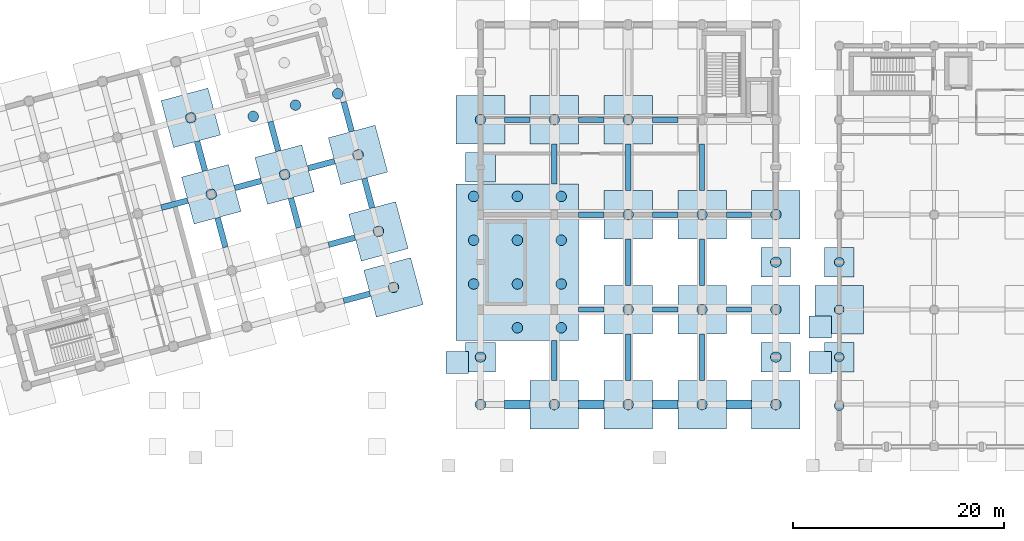
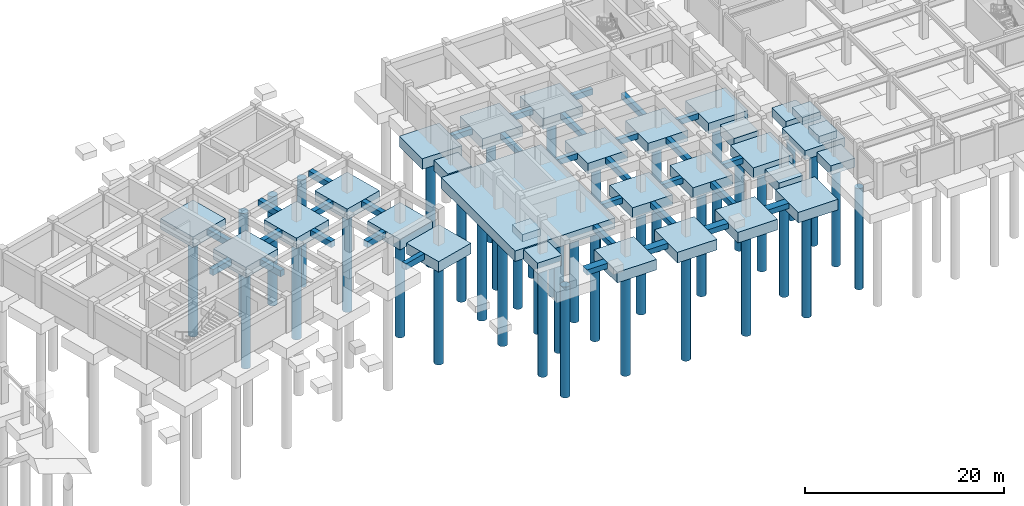
# One storey, part 4 of 20: 62 footings, 41 piles.
"""IFC4 building model written with IfcOpenShell, lengths in metres."""

from ifc_helpers import new_model, si_unit, direction, frame, origin, origin_2d, place, context, subcontext, project, spatial, rectangle, circle, extrude, material, material_profile, profile_set, type_object, element, save


model = new_model("IFC4")

# Units and contexts
model_context = context("Model", 3, precision=1e-05, world=origin(), true_north=direction((0.0, 1.0)))
body_context = subcontext(model_context, "Body", "Model", "MODEL_VIEW")
ifc_project = project(units=[si_unit("LENGTHUNIT", "METRE"), si_unit("AREAUNIT", "SQUARE_METRE"), si_unit("VOLUMEUNIT", "CUBIC_METRE"), si_unit("PLANEANGLEUNIT", "RADIAN"), si_unit("MASSUNIT", "GRAM", prefix="KILO")], contexts=[model_context])

# Site, building, storey
site_placement = place(None, origin())
site = spatial("IfcSite", under=ifc_project, at=site_placement, CompositionType="ELEMENT")
building_placement = place(site_placement, origin())
building = spatial("IfcBuilding", under=site, at=building_placement, Name="Ventoquebrada Cableway Terminal", CompositionType="ELEMENT")
storey_placement = place(building_placement, frame((0.0, 0.0, -4.5)))
storey = spatial("IfcBuildingStorey", under=building, at=storey_placement, Name="B1", CompositionType="ELEMENT", Elevation=-4.5)

# Footings
ifc_material = material(Name="Concrete C40/50", Category="concrete")
footing_type_1 = type_object("IfcFootingType", Name="FT-PC01", PredefinedType="PILE_CAP", material=ifc_material)
footing_1_placement = place(storey_placement, frame((129.0, 77.0, -1.10009765625), z_axis=(0.0, 0.0, 1.0), x_axis=(1.0, 0.0, 0.0)))
element("IfcFooting", 1, at=footing_1_placement, inside=storey, type_object=footing_type_1, Name="Reinforced concrete pile cap PC-148", PredefinedType="PILE_CAP", context=body_context, shape_type="SweptSolid", body=[
    extrude(rectangle(XDim=4.60009765625, YDim=4.60009765625, at=origin_2d()), origin(), (0.0, 0.0, 1.0), 1.10009765625),
])
footing_type_2 = type_object("IfcFootingType", Name="FT-PC02", PredefinedType="PILE_CAP", material=ifc_material)
for number, where, z_axis, x_axis, name in (
    (2, (129.0, 72.5, -1.10009765625), (0.0, 0.0, 1.0), (1.0, 0.0, 0.0), "Reinforced concrete pile cap PC-147"),
    (3, (129.0, 81.5, -1.10009765625), (0.0, 0.0, 1.0), (1.0, 0.0, 0.0), "Reinforced concrete pile cap PC-150"),
):
    element("IfcFooting", number, at=place(storey_placement, frame(where, z_axis=z_axis, x_axis=x_axis)), inside=storey, type_object=footing_type_2, Name=name, PredefinedType="PILE_CAP", context=body_context, shape_type="SweptSolid", body=[
        extrude(rectangle(XDim=2.800048828125, YDim=2.800048828125, at=origin_2d()), origin(), (0.0, 0.0, 1.0), 1.10009765625),
    ])
footing_type_3 = type_object("IfcFootingType", Name="FT-PC05", PredefinedType="PILE_CAP", material=ifc_material)
for number, where, z_axis, x_axis, name in (
    (4, (95.0, 72.5, -1.2998046875), (0.0, 0.0, 1.0), (1.0, 0.0, 0.0), "Reinforced concrete pile cap PC-118"),
    (5, (123.0, 72.5, -1.2998046875), (0.0, 0.0, 1.0), (1.0, 0.0, 0.0), "Reinforced concrete pile cap PC-129"),
    (6, (123.0, 81.5, -1.2998046875), (0.0, 0.0, 1.0), (1.0, 0.0, 0.0), "Reinforced concrete pile cap PC-132"),
):
    element("IfcFooting", number, at=place(storey_placement, frame(where, z_axis=z_axis, x_axis=x_axis)), inside=storey, type_object=footing_type_3, Name=name, PredefinedType="PILE_CAP", context=body_context, shape_type="SweptSolid", body=[
        extrude(rectangle(XDim=2.800048828125, YDim=2.800048828125, at=origin_2d()), origin(), (0.0, 0.0, 1.0), 1.300048828125),
    ])
footing_type_4 = type_object("IfcFootingType", Name="FT-PC06", PredefinedType="PILE_CAP", material=ifc_material)
for number, where, z_axis, x_axis, name in (
    (7, (69.47705078125, 87.931884765625, -1.2998046875), (0.0, 0.0, 1.0), (0.965925826289, 0.258819045103, 0.0), "Reinforced concrete pile cap PC-098"),
    (8, (86.7509765625, 79.10205078125, -1.2998046875), (0.0, 0.0, 1.0), (0.965925826289, 0.258819045103, 0.0), "Reinforced concrete pile cap PC-107"),
    (9, (85.327880859375, 84.4140625, -1.2998046875), (0.0, 0.0, 1.0), (0.965925826289, 0.258819045103, 0.0), "Reinforced concrete pile cap PC-108"),
    (10, (76.431884765625, 89.794921875, -1.2998046875), (0.0, 0.0, 1.0), (0.965925826289, 0.258819045103, 0.0), "Reinforced concrete pile cap PC-110"),
    (11, (83.386962890625, 91.658935546875, -1.2998046875), (0.0, 0.0, 1.0), (0.965925826289, 0.258819045103, 0.0), "Reinforced concrete pile cap PC-111"),
    (12, (67.535888671875, 95.176025390625, -1.2998046875), (0.0, 0.0, 1.0), (0.965925826289, 0.258819045103, 0.0), "Reinforced concrete pile cap PC-113"),
    (13, (109.0, 68.0, -1.2998046875), (0.0, 0.0, 1.0), (1.0, 0.0, 0.0), "Reinforced concrete pile cap PC-115"),
    (14, (102.0, 68.0, -1.2998046875), (0.0, 0.0, 1.0), (1.0, 0.0, 0.0), "Reinforced concrete pile cap PC-116"),
    (15, (109.0, 77.0, -1.2998046875), (0.0, 0.0, 1.0), (1.0, 0.0, 0.0), "Reinforced concrete pile cap PC-120"),
    (16, (95.0, 95.0, -1.2998046875), (0.0, 0.0, 1.0), (1.0, 0.0, 0.0), "Reinforced concrete pile cap PC-122"),
    (17, (102.0, 95.0, -1.2998046875), (0.0, 0.0, 1.0), (1.0, 0.0, 0.0), "Reinforced concrete pile cap PC-123"),
    (18, (116.0, 68.0, -1.2998046875), (0.0, 0.0, 1.0), (1.0, 0.0, 0.0), "Reinforced concrete pile cap PC-127"),
    (19, (123.0, 68.0, -1.2998046875), (0.0, 0.0, 1.0), (1.0, 0.0, 0.0), "Reinforced concrete pile cap PC-128"),
    (20, (116.0, 77.0, -1.2998046875), (0.0, 0.0, 1.0), (1.0, 0.0, 0.0), "Reinforced concrete pile cap PC-130"),
    (21, (123.0, 77.0, -1.2998046875), (0.0, 0.0, 1.0), (1.0, 0.0, 0.0), "Reinforced concrete pile cap PC-131"),
    (22, (109.0, 86.0, -1.2998046875), (0.0, 0.0, 1.0), (1.0, 0.0, 0.0), "Reinforced concrete pile cap PC-133"),
    (23, (116.0, 86.0, -1.2998046875), (0.0, 0.0, 1.0), (1.0, 0.0, 0.0), "Reinforced concrete pile cap PC-134"),
    (24, (123.0, 86.0, -1.2998046875), (0.0, 0.0, 1.0), (1.0, 0.0, 0.0), "Reinforced concrete pile cap PC-135"),
    (25, (109.0, 95.0, -1.2998046875), (0.0, 0.0, 1.0), (1.0, 0.0, 0.0), "Reinforced concrete pile cap PC-137"),
):
    element("IfcFooting", number, at=place(storey_placement, frame(where, z_axis=z_axis, x_axis=x_axis)), inside=storey, type_object=footing_type_4, Name=name, PredefinedType="PILE_CAP", context=body_context, shape_type="SweptSolid", body=[
        extrude(rectangle(XDim=4.60009765625, YDim=4.60009765625, at=origin_2d()), origin(), (0.0, 0.0, 1.0), 1.300048828125),
    ])
footing_type_5 = type_object("IfcFootingType", Name="FT-PC09", PredefinedType="PILE_CAP", material=ifc_material)
footing_2_placement = place(storey_placement, frame((98.5, 81.5, -1.2998046875), z_axis=(0.0, 0.0, 1.0), x_axis=(1.0, 0.0, 0.0)))
element("IfcFooting", 26, at=footing_2_placement, inside=storey, type_object=footing_type_5, Name="Reinforced concrete pile cap PC-119", PredefinedType="PILE_CAP", context=body_context, shape_type="SweptSolid", body=[
    extrude(rectangle(XDim=11.60009765625, YDim=14.85009765625, at=origin_2d()), origin(), (0.0, 0.0, 1.0), 1.300048828125),
])
footing_type_6 = type_object("IfcFootingType", Name="FT-PD01", PredefinedType="PAD_FOOTING", material=ifc_material)
for number, where, z_axis, x_axis, name in (
    (27, (92.800048828125, 72.0, 3.320068359375), (0.0, 0.0, 1.0), (1.0, 0.0, 0.0), "Accessible ramp toe pad footing R5"),
    (28, (127.199951171875, 72.0, 3.320068359375), (0.0, 0.0, 1.0), (1.0, 0.0, 0.0), "Accessible ramp toe pad footing R6"),
    (29, (127.199951171875, 75.360107421875, 3.60009765625), (0.0, 0.0, 1.0), (1.0, 0.0, 0.0), "Accessible ramp toe pad footing R6B"),
):
    element("IfcFooting", number, at=place(storey_placement, frame(where, z_axis=z_axis, x_axis=x_axis)), inside=storey, type_object=footing_type_6, Name=name, PredefinedType="PAD_FOOTING", context=body_context, shape_type="SweptSolid", body=[
        extrude(rectangle(XDim=2.10009765625, YDim=2.10009765625, at=origin_2d()), origin(), (0.0, 0.0, 1.0), 0.89990234375),
    ])
footing_type_7 = type_object("IfcFootingType", Name="FT-PD02", PredefinedType="PAD_FOOTING", material=ifc_material)
footing_3_placement = place(storey_placement, frame((95.0, 90.5, -1.2998046875), z_axis=(0.0, 0.0, 1.0), x_axis=(1.0, 0.0, 0.0)))
element("IfcFooting", 30, at=footing_3_placement, inside=storey, type_object=footing_type_7, Name="Reinforced concrete pad footing PF-121", PredefinedType="PAD_FOOTING", context=body_context, shape_type="SweptSolid", body=[
    extrude(rectangle(XDim=2.800048828125, YDim=2.800048828125, at=origin_2d()), origin(), (0.0, 0.0, 1.0), 1.300048828125),
])
footing_type_8 = type_object("IfcFootingType", Name="FT-SF09", PredefinedType="STRIP_FOOTING", material=ifc_material)
for number, where, z_axis, x_axis, name in (
    (31, (98.5, 68.0, -0.64990234375), (0.0, 0.0, 1.0), (1.0, 0.0, 0.0), "Reinforced concrete strip footing SF-074"),
    (32, (105.5, 68.0, -0.64990234375), (0.0, 0.0, 1.0), (1.0, 0.0, 0.0), "Reinforced concrete strip footing SF-075"),
    (33, (112.5, 68.0, -0.64990234375), (0.0, 0.0, 1.0), (1.0, 0.0, 0.0), "Reinforced concrete strip footing SF-076"),
    (34, (119.5, 68.0, -0.64990234375), (0.0, 0.0, 1.0), (1.0, 0.0, 0.0), "Reinforced concrete strip footing SF-077"),
):
    element("IfcFooting", number, at=place(storey_placement, frame(where, z_axis=z_axis, x_axis=x_axis)), inside=storey, type_object=footing_type_8, Name=name, PredefinedType="STRIP_FOOTING", context=body_context, shape_type="SweptSolid", body=[
        extrude(rectangle(XDim=2.404052734375, YDim=0.85009765625, at=origin_2d()), origin(), (0.0, 0.0, 1.0), 0.64990234375),
    ])
footing_type_9 = type_object("IfcFootingType", Name="FT-TB03", PredefinedType="FOOTING_BEAM", material=ifc_material)
for number, where, z_axis, x_axis, name in (
    (35, (109.0, 72.5, -0.7001953125), (0.0, 0.0, 1.0), (0.0, 1.0, 0.0), "Reinforced concrete seismic tie beam TB-066"),
    (36, (109.0, 81.5, -0.7001953125), (0.0, 0.0, 1.0), (0.0, 1.0, 0.0), "Reinforced concrete seismic tie beam TB-067"),
    (37, (109.0, 90.5, -0.7001953125), (0.0, 0.0, 1.0), (0.0, 1.0, 0.0), "Reinforced concrete seismic tie beam TB-068"),
    (38, (116.0, 72.5, -0.7001953125), (0.0, 0.0, 1.0), (0.0, 1.0, 0.0), "Reinforced concrete seismic tie beam TB-070"),
    (39, (116.0, 81.5, -0.7001953125), (0.0, 0.0, 1.0), (0.0, 1.0, 0.0), "Reinforced concrete seismic tie beam TB-071"),
    (40, (116.0, 90.5, -0.7001953125), (0.0, 0.0, 1.0), (0.0, 1.0, 0.0), "Reinforced concrete seismic tie beam TB-072"),
):
    element("IfcFooting", number, at=place(storey_placement, frame(where, z_axis=z_axis, x_axis=x_axis)), inside=storey, type_object=footing_type_9, Name=name, PredefinedType="FOOTING_BEAM", context=body_context, shape_type="SweptSolid", body=[
        extrude(rectangle(XDim=4.404052734375, YDim=0.5, at=origin_2d()), origin(), (0.0, 0.0, 1.0), 0.699951171875),
    ])
footing_type_10 = type_object("IfcFootingType", Name="FT-TB08", PredefinedType="FOOTING_BEAM", material=ifc_material)
for number, where, z_axis, x_axis, name in (
    (41, (102.0, 72.18798828125, -0.7001953125), (0.0, 0.0, 1.0), (0.0, 1.0, 0.0), "Reinforced concrete seismic tie beam TB-063"),
    (42, (102.0, 90.81201171875, -0.7001953125), (0.0, 0.0, 1.0), (0.0, 1.0, 0.0), "Reinforced concrete seismic tie beam TB-064"),
):
    element("IfcFooting", number, at=place(storey_placement, frame(where, z_axis=z_axis, x_axis=x_axis)), inside=storey, type_object=footing_type_10, Name=name, PredefinedType="FOOTING_BEAM", context=body_context, shape_type="SweptSolid", body=[
        extrude(rectangle(XDim=3.779052734375, YDim=0.5, at=origin_2d()), origin(), (0.0, 0.0, 1.0), 0.699951171875),
    ])
footing_type_11 = type_object("IfcFootingType", Name="FT-TB10", PredefinedType="FOOTING_BEAM", material=ifc_material)
for number, where, z_axis, x_axis, name in (
    (43, (105.5, 77.0, -0.7001953125), (0.0, 0.0, 1.0), (1.0, 0.0, 0.0), "Reinforced concrete seismic tie beam TB-078"),
    (44, (112.5, 77.0, -0.7001953125), (0.0, 0.0, 1.0), (1.0, 0.0, 0.0), "Reinforced concrete seismic tie beam TB-079"),
    (45, (119.5, 77.0, -0.7001953125), (0.0, 0.0, 1.0), (1.0, 0.0, 0.0), "Reinforced concrete seismic tie beam TB-080"),
    (46, (105.5, 86.0, -0.7001953125), (0.0, 0.0, 1.0), (1.0, 0.0, 0.0), "Reinforced concrete seismic tie beam TB-081"),
    (47, (112.5, 86.0, -0.7001953125), (0.0, 0.0, 1.0), (1.0, 0.0, 0.0), "Reinforced concrete seismic tie beam TB-082"),
    (48, (119.5, 86.0, -0.7001953125), (0.0, 0.0, 1.0), (1.0, 0.0, 0.0), "Reinforced concrete seismic tie beam TB-083"),
    (49, (98.5, 95.0, -0.7001953125), (0.0, 0.0, 1.0), (1.0, 0.0, 0.0), "Reinforced concrete seismic tie beam TB-084"),
    (50, (105.5, 95.0, -0.7001953125), (0.0, 0.0, 1.0), (1.0, 0.0, 0.0), "Reinforced concrete seismic tie beam TB-085"),
    (51, (112.5, 95.0, -0.7001953125), (0.0, 0.0, 1.0), (1.0, 0.0, 0.0), "Reinforced concrete seismic tie beam TB-086"),
):
    element("IfcFooting", number, at=place(storey_placement, frame(where, z_axis=z_axis, x_axis=x_axis)), inside=storey, type_object=footing_type_11, Name=name, PredefinedType="FOOTING_BEAM", context=body_context, shape_type="SweptSolid", body=[
        extrude(rectangle(XDim=2.404052734375, YDim=0.5, at=origin_2d()), origin(), (0.0, 0.0, 1.0), 0.699951171875),
    ])
footing_type_12 = type_object("IfcFootingType", Name="FT-TB11", PredefinedType="FOOTING_BEAM", material=ifc_material)
footing_4_placement = place(storey_placement, frame((70.447998046875, 84.30908203125, -0.75), z_axis=(0.0, 0.0, 1.0), x_axis=(-0.258785327773, 0.96593486019, 0.0)))
element("IfcFooting", 52, at=footing_4_placement, inside=storey, type_object=footing_type_12, Name="Reinforced concrete seismic tie beam TB-128", PredefinedType="FOOTING_BEAM", context=body_context, shape_type="SweptSolid", body=[
    extrude(rectangle(XDim=2.905029296875, YDim=0.550048828125, at=origin_2d()), origin(), (0.0, 0.0, 1.0), 0.75),
])
for number, where, z_axis, x_axis, name in (
    (53, (68.507080078125, 91.553955078125, -0.75), (0.0, 0.0, 1.0), (-0.258819045103, 0.965925826289, 0.0), "Reinforced concrete seismic tie beam TB-129"),
    (54, (77.403076171875, 86.173095703125, -0.75), (0.0, 0.0, 1.0), (-0.258819045103, 0.965925826289, 0.0), "Reinforced concrete seismic tie beam TB-130"),
    (55, (75.4619140625, 93.4169921875, -0.75), (0.0, 0.0, 1.0), (-0.258785327773, 0.96593486019, 0.0), "Reinforced concrete seismic tie beam TB-131"),
):
    element("IfcFooting", number, at=place(storey_placement, frame(where, z_axis=z_axis, x_axis=x_axis)), inside=storey, type_object=footing_type_12, Name=name, PredefinedType="FOOTING_BEAM", context=body_context, shape_type="SweptSolid", body=[
        extrude(rectangle(XDim=2.904052734375, YDim=0.550048828125, at=origin_2d()), origin(), (0.0, 0.0, 1.0), 0.75),
    ])
footing_5_placement = place(storey_placement, frame((84.35791015625, 88.037109375, -0.75), z_axis=(0.0, 0.0, 1.0), x_axis=(-0.258785327773, 0.96593486019, 0.0)))
element("IfcFooting", 56, at=footing_5_placement, inside=storey, type_object=footing_type_12, Name="Reinforced concrete seismic tie beam TB-132", PredefinedType="FOOTING_BEAM", context=body_context, shape_type="SweptSolid", body=[
    extrude(rectangle(XDim=2.905029296875, YDim=0.550048828125, at=origin_2d()), origin(), (0.0, 0.0, 1.0), 0.75),
])
footing_6_placement = place(storey_placement, frame((82.416015625, 95.281005859375, -0.75), z_axis=(0.0, 0.0, 1.0), x_axis=(-0.258819045103, 0.965925826289, 0.0)))
element("IfcFooting", 57, at=footing_6_placement, inside=storey, type_object=footing_type_12, Name="Reinforced concrete seismic tie beam TB-133", PredefinedType="FOOTING_BEAM", context=body_context, shape_type="SweptSolid", body=[
    extrude(rectangle(XDim=2.904052734375, YDim=0.550048828125, at=origin_2d()), origin(), (0.0, 0.0, 1.0), 0.75),
])
footing_type_13 = type_object("IfcFootingType", Name="FT-TB12", PredefinedType="FOOTING_BEAM", material=ifc_material)
footing_7_placement = place(storey_placement, frame((83.27392578125, 78.169921875, -0.75), z_axis=(0.0, 0.0, 1.0), x_axis=(0.965903236389, 0.258903337047, 0.0)))
element("IfcFooting", 58, at=footing_7_placement, inside=storey, type_object=footing_type_13, Name="Reinforced concrete seismic tie beam TB-138", PredefinedType="FOOTING_BEAM", context=body_context, shape_type="SweptSolid", body=[
    extrude(rectangle(XDim=2.60302734375, YDim=0.550048828125, at=origin_2d()), origin(), (0.0, 0.0, 1.0), 0.75),
])
footing_8_placement = place(storey_placement, frame((81.85107421875, 83.48291015625, -0.75), z_axis=(0.0, 0.0, 1.0), x_axis=(0.965948408834, 0.258734751187, 0.0)))
element("IfcFooting", 59, at=footing_8_placement, inside=storey, type_object=footing_type_13, Name="Reinforced concrete seismic tie beam TB-143", PredefinedType="FOOTING_BEAM", context=body_context, shape_type="SweptSolid", body=[
    extrude(rectangle(XDim=2.60400390625, YDim=0.550048828125, at=origin_2d()), origin(), (0.0, 0.0, 1.0), 0.75),
])
footing_9_placement = place(storey_placement, frame((66.0, 87.0, -0.75), z_axis=(0.0, 0.0, 1.0), x_axis=(0.965903236389, 0.258903337047, 0.0)))
element("IfcFooting", 60, at=footing_9_placement, inside=storey, type_object=footing_type_13, Name="Reinforced concrete seismic tie beam TB-146", PredefinedType="FOOTING_BEAM", context=body_context, shape_type="SweptSolid", body=[
    extrude(rectangle(XDim=2.60302734375, YDim=0.550048828125, at=origin_2d()), origin(), (0.0, 0.0, 1.0), 0.75),
])
for number, where, z_axis, x_axis, name in (
    (61, (72.9541015625, 88.864013671875, -0.75), (0.0, 0.0, 1.0), (0.965948408834, 0.258734751187, 0.0), "Reinforced concrete seismic tie beam TB-147"),
    (62, (79.909912109375, 90.72705078125, -0.75), (0.0, 0.0, 1.0), (0.965912273231, 0.258869620506, 0.0), "Reinforced concrete seismic tie beam TB-148"),
):
    element("IfcFooting", number, at=place(storey_placement, frame(where, z_axis=z_axis, x_axis=x_axis)), inside=storey, type_object=footing_type_13, Name=name, PredefinedType="FOOTING_BEAM", context=body_context, shape_type="SweptSolid", body=[
        extrude(rectangle(XDim=2.60400390625, YDim=0.550048828125, at=origin_2d()), origin(), (0.0, 0.0, 1.0), 0.75),
    ])

# Piles
ifc_material_profile_1 = material_profile(ifc_material, circle(Radius=0.5, at=origin_2d()), Name="PILE-D1000")
ifc_profile_set_1 = profile_set([ifc_material_profile_1], Name="Concrete C40/50")
pile_type_1 = type_object("IfcPileType", Name="PL-D1000", PredefinedType="BORED", material=ifc_profile_set_1)
pile_1_placement = place(storey_placement, frame((69.47705078125, 87.931884765625, -1.199951171875), z_axis=(0.0, 0.0, -1.0), x_axis=(1.0, 0.0, 0.0)))
element("IfcPile", 63, at=pile_1_placement, inside=storey, type_object=pile_type_1, Name="Cast-in-place bored pile FP-114", PredefinedType="BORED", context=body_context, shape_type="SweptSolid", body=[
    extrude(circle(Radius=0.5, at=origin_2d()), origin(), (0.0, 0.0, 1.0), 13.199951171875),
])
pile_2_placement = place(storey_placement, frame((86.7509765625, 79.10205078125, -1.199951171875), z_axis=(0.0, 0.0, -1.0), x_axis=(1.0, 0.0, 0.0)))
element("IfcPile", 64, at=pile_2_placement, inside=storey, type_object=pile_type_1, Name="Cast-in-place bored pile FP-123", PredefinedType="BORED", context=body_context, shape_type="SweptSolid", body=[
    extrude(circle(Radius=0.5, at=origin_2d()), origin(), (0.0, 0.0, 1.0), 13.39990234375),
])
pile_3_placement = place(storey_placement, frame((85.327880859375, 84.4140625, -1.199951171875), z_axis=(0.0, 0.0, -1.0), x_axis=(1.0, 0.0, 0.0)))
element("IfcPile", 65, at=pile_3_placement, inside=storey, type_object=pile_type_1, Name="Cast-in-place bored pile FP-124", PredefinedType="BORED", context=body_context, shape_type="SweptSolid", body=[
    extrude(circle(Radius=0.5, at=origin_2d()), origin(), (0.0, 0.0, 1.0), 12.800048828125),
])
pile_4_placement = place(storey_placement, frame((76.431884765625, 89.794921875, -1.199951171875), z_axis=(0.0, 0.0, -1.0), x_axis=(1.0, 0.0, 0.0)))
element("IfcPile", 66, at=pile_4_placement, inside=storey, type_object=pile_type_1, Name="Cast-in-place bored pile FP-126", PredefinedType="BORED", context=body_context, shape_type="SweptSolid", body=[
    extrude(circle(Radius=0.5, at=origin_2d()), origin(), (0.0, 0.0, 1.0), 13.199951171875),
])
pile_5_placement = place(storey_placement, frame((83.386962890625, 91.658935546875, -1.199951171875), z_axis=(0.0, 0.0, -1.0), x_axis=(1.0, 0.0, 0.0)))
element("IfcPile", 67, at=pile_5_placement, inside=storey, type_object=pile_type_1, Name="Cast-in-place bored pile FP-127", PredefinedType="BORED", context=body_context, shape_type="SweptSolid", body=[
    extrude(circle(Radius=0.5, at=origin_2d()), origin(), (0.0, 0.0, 1.0), 13.39990234375),
])
pile_6_placement = place(storey_placement, frame((73.452880859375, 95.31201171875, -1.199951171875), z_axis=(0.0, 0.0, -1.0), x_axis=(1.0, 0.0, 0.0)))
element("IfcPile", 68, at=pile_6_placement, inside=storey, type_object=pile_type_1, Name="Cast-in-place bored pile FP-128", PredefinedType="BORED", context=body_context, shape_type="SweptSolid", body=[
    extrude(circle(Radius=0.5, at=origin_2d()), origin(), (0.0, 0.0, 1.0), 12.800048828125),
])
pile_7_placement = place(storey_placement, frame((77.4609375, 96.385986328125, -1.199951171875), z_axis=(0.0, 0.0, -1.0), x_axis=(1.0, 0.0, 0.0)))
element("IfcPile", 69, at=pile_7_placement, inside=storey, type_object=pile_type_1, Name="Cast-in-place bored pile FP-131", PredefinedType="BORED", context=body_context, shape_type="SweptSolid", body=[
    extrude(circle(Radius=0.5, at=origin_2d()), origin(), (0.0, 0.0, 1.0), 13.39990234375),
])
pile_8_placement = place(storey_placement, frame((81.469970703125, 97.4609375, -1.199951171875), z_axis=(0.0, 0.0, -1.0), x_axis=(1.0, 0.0, 0.0)))
element("IfcPile", 70, at=pile_8_placement, inside=storey, type_object=pile_type_1, Name="Cast-in-place bored pile FP-134", PredefinedType="BORED", context=body_context, shape_type="SweptSolid", body=[
    extrude(circle(Radius=0.5, at=origin_2d()), origin(), (0.0, 0.0, 1.0), 13.199951171875),
])
pile_9_placement = place(storey_placement, frame((67.535888671875, 95.176025390625, -1.199951171875), z_axis=(0.0, 0.0, -1.0), x_axis=(1.0, 0.0, 0.0)))
element("IfcPile", 71, at=pile_9_placement, inside=storey, type_object=pile_type_1, Name="Cast-in-place bored pile FP-137", PredefinedType="BORED", context=body_context, shape_type="SweptSolid", body=[
    extrude(circle(Radius=0.5, at=origin_2d()), origin(), (0.0, 0.0, 1.0), 13.0),
])
pile_10_placement = place(storey_placement, frame((109.0, 68.0, -1.199951171875), z_axis=(0.0, 0.0, -1.0), x_axis=(1.0, 0.0, 0.0)))
element("IfcPile", 72, at=pile_10_placement, inside=storey, type_object=pile_type_1, Name="Cast-in-place bored pile FP-139", PredefinedType="BORED", context=body_context, shape_type="SweptSolid", body=[
    extrude(circle(Radius=0.5, at=origin_2d()), origin(), (0.0, 0.0, 1.0), 14.0),
])
pile_11_placement = place(storey_placement, frame((102.0, 68.0, -1.199951171875), z_axis=(0.0, 0.0, -1.0), x_axis=(1.0, 0.0, 0.0)))
element("IfcPile", 73, at=pile_11_placement, inside=storey, type_object=pile_type_1, Name="Cast-in-place bored pile FP-140", PredefinedType="BORED", context=body_context, shape_type="SweptSolid", body=[
    extrude(circle(Radius=0.5, at=origin_2d()), origin(), (0.0, 0.0, 1.0), 13.39990234375),
])
pile_12_placement = place(storey_placement, frame((95.0, 68.0, -1.199951171875), z_axis=(0.0, 0.0, -1.0), x_axis=(1.0, 0.0, 0.0)))
element("IfcPile", 74, at=pile_12_placement, inside=storey, type_object=pile_type_1, Name="Cast-in-place bored pile FP-141", PredefinedType="BORED", context=body_context, shape_type="SweptSolid", body=[
    extrude(circle(Radius=0.5, at=origin_2d()), origin(), (0.0, 0.0, 1.0), 13.60009765625),
])
pile_13_placement = place(storey_placement, frame((95.0, 72.5, -1.199951171875), z_axis=(0.0, 0.0, -1.0), x_axis=(1.0, 0.0, 0.0)))
element("IfcPile", 75, at=pile_13_placement, inside=storey, type_object=pile_type_1, Name="Cast-in-place bored pile FP-142", PredefinedType="BORED", context=body_context, shape_type="SweptSolid", body=[
    extrude(circle(Radius=0.5, at=origin_2d()), origin(), (0.0, 0.0, 1.0), 13.800048828125),
])
pile_14_placement = place(storey_placement, frame((94.35009765625, 79.425048828125, -1.199951171875), z_axis=(0.0, 0.0, -1.0), x_axis=(1.0, 0.0, 0.0)))
element("IfcPile", 76, at=pile_14_placement, inside=storey, type_object=pile_type_1, Name="Cast-in-place bored pile FP-143", PredefinedType="BORED", context=body_context, shape_type="SweptSolid", body=[
    extrude(circle(Radius=0.5, at=origin_2d()), origin(), (0.0, 0.0, 1.0), 14.0),
])
pile_15_placement = place(storey_placement, frame((94.35009765625, 83.574951171875, -1.199951171875), z_axis=(0.0, 0.0, -1.0), x_axis=(1.0, 0.0, 0.0)))
element("IfcPile", 77, at=pile_15_placement, inside=storey, type_object=pile_type_1, Name="Cast-in-place bored pile FP-144", PredefinedType="BORED", context=body_context, shape_type="SweptSolid", body=[
    extrude(circle(Radius=0.5, at=origin_2d()), origin(), (0.0, 0.0, 1.0), 13.39990234375),
])
pile_16_placement = place(storey_placement, frame((94.35009765625, 87.72509765625, -1.199951171875), z_axis=(0.0, 0.0, -1.0), x_axis=(1.0, 0.0, 0.0)))
element("IfcPile", 78, at=pile_16_placement, inside=storey, type_object=pile_type_1, Name="Cast-in-place bored pile FP-145", PredefinedType="BORED", context=body_context, shape_type="SweptSolid", body=[
    extrude(circle(Radius=0.5, at=origin_2d()), origin(), (0.0, 0.0, 1.0), 13.60009765625),
])
pile_17_placement = place(storey_placement, frame((98.5, 75.27490234375, -1.199951171875), z_axis=(0.0, 0.0, -1.0), x_axis=(1.0, 0.0, 0.0)))
element("IfcPile", 79, at=pile_17_placement, inside=storey, type_object=pile_type_1, Name="Cast-in-place bored pile FP-146", PredefinedType="BORED", context=body_context, shape_type="SweptSolid", body=[
    extrude(circle(Radius=0.5, at=origin_2d()), origin(), (0.0, 0.0, 1.0), 13.800048828125),
])
pile_18_placement = place(storey_placement, frame((98.5, 79.425048828125, -1.199951171875), z_axis=(0.0, 0.0, -1.0), x_axis=(1.0, 0.0, 0.0)))
element("IfcPile", 80, at=pile_18_placement, inside=storey, type_object=pile_type_1, Name="Cast-in-place bored pile FP-147", PredefinedType="BORED", context=body_context, shape_type="SweptSolid", body=[
    extrude(circle(Radius=0.5, at=origin_2d()), origin(), (0.0, 0.0, 1.0), 14.0),
])
pile_19_placement = place(storey_placement, frame((98.5, 83.574951171875, -1.199951171875), z_axis=(0.0, 0.0, -1.0), x_axis=(1.0, 0.0, 0.0)))
element("IfcPile", 81, at=pile_19_placement, inside=storey, type_object=pile_type_1, Name="Cast-in-place bored pile FP-148", PredefinedType="BORED", context=body_context, shape_type="SweptSolid", body=[
    extrude(circle(Radius=0.5, at=origin_2d()), origin(), (0.0, 0.0, 1.0), 13.39990234375),
])
pile_20_placement = place(storey_placement, frame((98.5, 87.72509765625, -1.199951171875), z_axis=(0.0, 0.0, -1.0), x_axis=(1.0, 0.0, 0.0)))
element("IfcPile", 82, at=pile_20_placement, inside=storey, type_object=pile_type_1, Name="Cast-in-place bored pile FP-149", PredefinedType="BORED", context=body_context, shape_type="SweptSolid", body=[
    extrude(circle(Radius=0.5, at=origin_2d()), origin(), (0.0, 0.0, 1.0), 13.60009765625),
])
pile_21_placement = place(storey_placement, frame((102.64990234375, 75.27490234375, -1.199951171875), z_axis=(0.0, 0.0, -1.0), x_axis=(1.0, 0.0, 0.0)))
element("IfcPile", 83, at=pile_21_placement, inside=storey, type_object=pile_type_1, Name="Cast-in-place bored pile FP-150", PredefinedType="BORED", context=body_context, shape_type="SweptSolid", body=[
    extrude(circle(Radius=0.5, at=origin_2d()), origin(), (0.0, 0.0, 1.0), 13.800048828125),
])
pile_22_placement = place(storey_placement, frame((102.64990234375, 79.425048828125, -1.199951171875), z_axis=(0.0, 0.0, -1.0), x_axis=(1.0, 0.0, 0.0)))
element("IfcPile", 84, at=pile_22_placement, inside=storey, type_object=pile_type_1, Name="Cast-in-place bored pile FP-151", PredefinedType="BORED", context=body_context, shape_type="SweptSolid", body=[
    extrude(circle(Radius=0.5, at=origin_2d()), origin(), (0.0, 0.0, 1.0), 14.0),
])
pile_23_placement = place(storey_placement, frame((102.64990234375, 83.574951171875, -1.199951171875), z_axis=(0.0, 0.0, -1.0), x_axis=(1.0, 0.0, 0.0)))
element("IfcPile", 85, at=pile_23_placement, inside=storey, type_object=pile_type_1, Name="Cast-in-place bored pile FP-152", PredefinedType="BORED", context=body_context, shape_type="SweptSolid", body=[
    extrude(circle(Radius=0.5, at=origin_2d()), origin(), (0.0, 0.0, 1.0), 13.39990234375),
])
pile_24_placement = place(storey_placement, frame((102.64990234375, 87.72509765625, -1.199951171875), z_axis=(0.0, 0.0, -1.0), x_axis=(1.0, 0.0, 0.0)))
element("IfcPile", 86, at=pile_24_placement, inside=storey, type_object=pile_type_1, Name="Cast-in-place bored pile FP-153", PredefinedType="BORED", context=body_context, shape_type="SweptSolid", body=[
    extrude(circle(Radius=0.5, at=origin_2d()), origin(), (0.0, 0.0, 1.0), 13.60009765625),
])
pile_25_placement = place(storey_placement, frame((109.0, 77.0, -1.199951171875), z_axis=(0.0, 0.0, -1.0), x_axis=(1.0, 0.0, 0.0)))
element("IfcPile", 87, at=pile_25_placement, inside=storey, type_object=pile_type_1, Name="Cast-in-place bored pile FP-154", PredefinedType="BORED", context=body_context, shape_type="SweptSolid", body=[
    extrude(circle(Radius=0.5, at=origin_2d()), origin(), (0.0, 0.0, 1.0), 13.800048828125),
])
pile_26_placement = place(storey_placement, frame((95.0, 95.0, -1.199951171875), z_axis=(0.0, 0.0, -1.0), x_axis=(1.0, 0.0, 0.0)))
element("IfcPile", 88, at=pile_26_placement, inside=storey, type_object=pile_type_1, Name="Cast-in-place bored pile FP-155", PredefinedType="BORED", context=body_context, shape_type="SweptSolid", body=[
    extrude(circle(Radius=0.5, at=origin_2d()), origin(), (0.0, 0.0, 1.0), 14.0),
])
for number, where, z_axis, x_axis, name in (
    (89, (102.0, 95.0, -1.199951171875), (0.0, 0.0, -1.0), (1.0, 0.0, 0.0), "Cast-in-place bored pile FP-156"),
    (90, (116.0, 68.0, -1.199951171875), (0.0, 0.0, -1.0), (1.0, 0.0, 0.0), "Cast-in-place bored pile FP-160"),
):
    element("IfcPile", number, at=place(storey_placement, frame(where, z_axis=z_axis, x_axis=x_axis)), inside=storey, type_object=pile_type_1, Name=name, PredefinedType="BORED", context=body_context, shape_type="SweptSolid", body=[
        extrude(circle(Radius=0.5, at=origin_2d()), origin(), (0.0, 0.0, 1.0), 13.39990234375),
    ])
pile_27_placement = place(storey_placement, frame((123.0, 68.0, -1.199951171875), z_axis=(0.0, 0.0, -1.0), x_axis=(1.0, 0.0, 0.0)))
element("IfcPile", 91, at=pile_27_placement, inside=storey, type_object=pile_type_1, Name="Cast-in-place bored pile FP-161", PredefinedType="BORED", context=body_context, shape_type="SweptSolid", body=[
    extrude(circle(Radius=0.5, at=origin_2d()), origin(), (0.0, 0.0, 1.0), 13.60009765625),
])
pile_28_placement = place(storey_placement, frame((123.0, 72.5, -1.199951171875), z_axis=(0.0, 0.0, -1.0), x_axis=(1.0, 0.0, 0.0)))
element("IfcPile", 92, at=pile_28_placement, inside=storey, type_object=pile_type_1, Name="Cast-in-place bored pile FP-162", PredefinedType="BORED", context=body_context, shape_type="SweptSolid", body=[
    extrude(circle(Radius=0.5, at=origin_2d()), origin(), (0.0, 0.0, 1.0), 13.800048828125),
])
pile_29_placement = place(storey_placement, frame((116.0, 77.0, -1.199951171875), z_axis=(0.0, 0.0, -1.0), x_axis=(1.0, 0.0, 0.0)))
element("IfcPile", 93, at=pile_29_placement, inside=storey, type_object=pile_type_1, Name="Cast-in-place bored pile FP-163", PredefinedType="BORED", context=body_context, shape_type="SweptSolid", body=[
    extrude(circle(Radius=0.5, at=origin_2d()), origin(), (0.0, 0.0, 1.0), 14.0),
])
pile_30_placement = place(storey_placement, frame((123.0, 77.0, -1.199951171875), z_axis=(0.0, 0.0, -1.0), x_axis=(1.0, 0.0, 0.0)))
element("IfcPile", 94, at=pile_30_placement, inside=storey, type_object=pile_type_1, Name="Cast-in-place bored pile FP-164", PredefinedType="BORED", context=body_context, shape_type="SweptSolid", body=[
    extrude(circle(Radius=0.5, at=origin_2d()), origin(), (0.0, 0.0, 1.0), 13.39990234375),
])
pile_31_placement = place(storey_placement, frame((123.0, 81.5, -1.199951171875), z_axis=(0.0, 0.0, -1.0), x_axis=(1.0, 0.0, 0.0)))
element("IfcPile", 95, at=pile_31_placement, inside=storey, type_object=pile_type_1, Name="Cast-in-place bored pile FP-165", PredefinedType="BORED", context=body_context, shape_type="SweptSolid", body=[
    extrude(circle(Radius=0.5, at=origin_2d()), origin(), (0.0, 0.0, 1.0), 13.60009765625),
])
pile_32_placement = place(storey_placement, frame((109.0, 86.0, -1.199951171875), z_axis=(0.0, 0.0, -1.0), x_axis=(1.0, 0.0, 0.0)))
element("IfcPile", 96, at=pile_32_placement, inside=storey, type_object=pile_type_1, Name="Cast-in-place bored pile FP-166", PredefinedType="BORED", context=body_context, shape_type="SweptSolid", body=[
    extrude(circle(Radius=0.5, at=origin_2d()), origin(), (0.0, 0.0, 1.0), 13.800048828125),
])
pile_33_placement = place(storey_placement, frame((116.0, 86.0, -1.199951171875), z_axis=(0.0, 0.0, -1.0), x_axis=(1.0, 0.0, 0.0)))
element("IfcPile", 97, at=pile_33_placement, inside=storey, type_object=pile_type_1, Name="Cast-in-place bored pile FP-167", PredefinedType="BORED", context=body_context, shape_type="SweptSolid", body=[
    extrude(circle(Radius=0.5, at=origin_2d()), origin(), (0.0, 0.0, 1.0), 14.0),
])
pile_34_placement = place(storey_placement, frame((123.0, 86.0, -1.199951171875), z_axis=(0.0, 0.0, -1.0), x_axis=(1.0, 0.0, 0.0)))
element("IfcPile", 98, at=pile_34_placement, inside=storey, type_object=pile_type_1, Name="Cast-in-place bored pile FP-168", PredefinedType="BORED", context=body_context, shape_type="SweptSolid", body=[
    extrude(circle(Radius=0.5, at=origin_2d()), origin(), (0.0, 0.0, 1.0), 13.39990234375),
])
pile_35_placement = place(storey_placement, frame((109.0, 95.0, -1.199951171875), z_axis=(0.0, 0.0, -1.0), x_axis=(1.0, 0.0, 0.0)))
element("IfcPile", 99, at=pile_35_placement, inside=storey, type_object=pile_type_1, Name="Cast-in-place bored pile FP-170", PredefinedType="BORED", context=body_context, shape_type="SweptSolid", body=[
    extrude(circle(Radius=0.5, at=origin_2d()), origin(), (0.0, 0.0, 1.0), 13.800048828125),
])
ifc_material_profile_2 = material_profile(ifc_material, circle(Radius=0.449951171875, at=origin_2d()), Name="PILE-D900")
ifc_profile_set_2 = profile_set([ifc_material_profile_2], Name="Concrete C40/50")
pile_type_2 = type_object("IfcPileType", Name="PL-D900", PredefinedType="BORED", material=ifc_profile_set_2)
for number, where, z_axis, x_axis, name in (
    (100, (129.0, 67.867919921875, -1.0), (0.0, 0.0, -1.0), (1.0, 0.0, 0.0), "Cast-in-place bored pile FP-178"),
    (101, (129.0, 72.5, -1.0), (0.0, 0.0, -1.0), (1.0, 0.0, 0.0), "Cast-in-place bored pile FP-182"),
):
    element("IfcPile", number, at=place(storey_placement, frame(where, z_axis=z_axis, x_axis=x_axis)), inside=storey, type_object=pile_type_2, Name=name, PredefinedType="BORED", context=body_context, shape_type="SweptSolid", body=[
        extrude(circle(Radius=0.449951171875, at=origin_2d()), origin(), (0.0, 0.0, 1.0), 12.39990234375),
    ])
pile_36_placement = place(storey_placement, frame((129.0, 77.0, -1.0), z_axis=(0.0, 0.0, -1.0), x_axis=(1.0, 0.0, 0.0)))
element("IfcPile", 102, at=pile_36_placement, inside=storey, type_object=pile_type_2, Name="Cast-in-place bored pile FP-183", PredefinedType="BORED", context=body_context, shape_type="SweptSolid", body=[
    extrude(circle(Radius=0.449951171875, at=origin_2d()), origin(), (0.0, 0.0, 1.0), 12.60009765625),
])
pile_37_placement = place(storey_placement, frame((129.0, 81.5, -1.0), z_axis=(0.0, 0.0, -1.0), x_axis=(1.0, 0.0, 0.0)))
element("IfcPile", 103, at=pile_37_placement, inside=storey, type_object=pile_type_2, Name="Cast-in-place bored pile FP-185", PredefinedType="BORED", context=body_context, shape_type="SweptSolid", body=[
    extrude(circle(Radius=0.449951171875, at=origin_2d()), origin(), (0.0, 0.0, 1.0), 12.199951171875),
])

save(model, "model.ifc")
